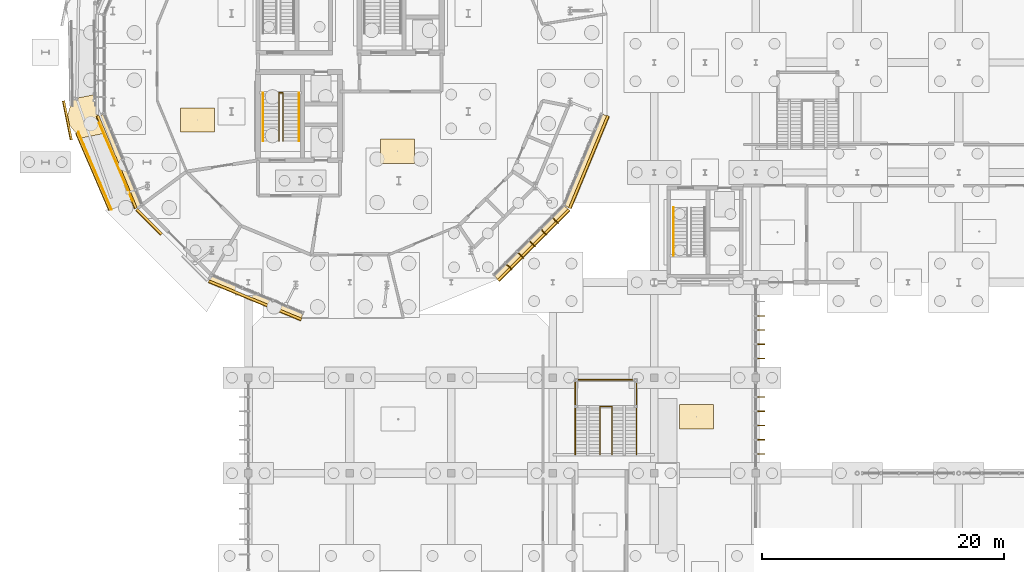
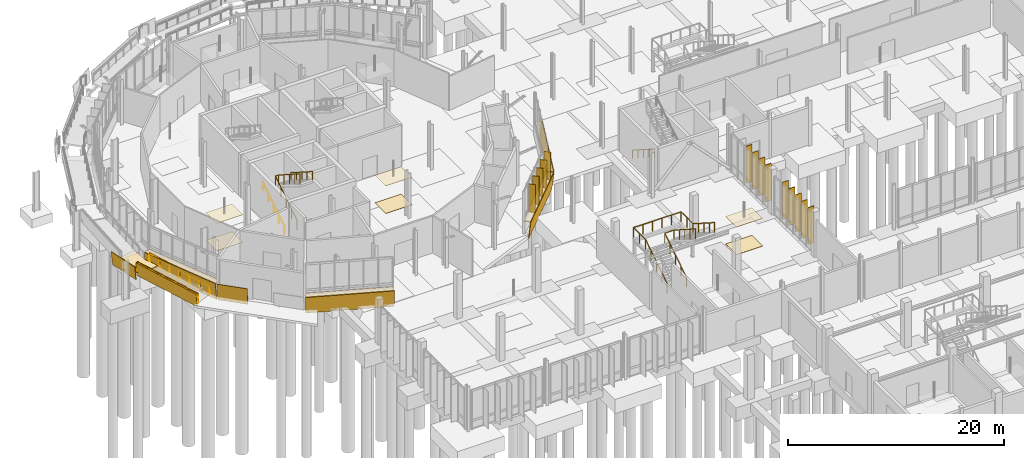
# One storey, part 109 of 119: 18 coverings, 14 shading devices, 10 railings.
"""IFC4 building model written with IfcOpenShell, lengths in metres."""

from ifc_helpers import new_model, si_unit, derived_unit, direction, frame, origin, origin_2d, place, context, subcontext, project, spatial, polyline, rectangle, circle, outline, extrude, material, layer, layer_set, type_object, element, save


model = new_model("IFC4")

# Units and contexts
model_context = context("Model", 3, precision=1e-05, world=origin(), true_north=direction((0.0, 1.0)))
body_context = subcontext(model_context, "Body", "Model", "MODEL_VIEW")
ifc_project = project(units=[si_unit("LENGTHUNIT", "METRE"), si_unit("AREAUNIT", "SQUARE_METRE"), si_unit("VOLUMEUNIT", "CUBIC_METRE"), si_unit("PLANEANGLEUNIT", "RADIAN"), si_unit("MASSUNIT", "GRAM", prefix="KILO"), derived_unit("THERMALTRANSMITTANCEUNIT", [(si_unit("MASSUNIT", "GRAM", prefix="KILO"), 1), (si_unit("TIMEUNIT", "SECOND"), -3), (si_unit("THERMODYNAMICTEMPERATUREUNIT", "KELVIN"), -1)])], contexts=[model_context])

# Site, building, storey
site_placement = place(None, origin())
site = spatial("IfcSite", under=ifc_project, at=site_placement, CompositionType="ELEMENT")
building_placement = place(site_placement, origin())
building = spatial("IfcBuilding", under=site, at=building_placement, Name="Makaiwela Harbour Ferry Terminal", CompositionType="ELEMENT")
storey_placement = place(building_placement, origin())
storey = spatial("IfcBuildingStorey", under=building, at=storey_placement, Name="L00", CompositionType="ELEMENT", Elevation=0.0)

# Coverings
ifc_material_1 = material(Name="White glazed marine ceramic rainscreen tile", Category="masonry")
ifc_layer_1 = layer(ifc_material_1, 0.054931640625)
ifc_layer_set_1 = layer_set([ifc_layer_1], Name="White glazed marine ceramic rainscreen tile")
covering_type_1 = type_object("IfcCoveringType", Name="ENV-CLD-CERAMIC", PredefinedType="CLADDING", material=ifc_layer_set_1)
covering_1_placement = place(storey_placement, frame((17.029296875, 63.22900390625, -0.3798828125), z_axis=(0.91838208959, 0.380398759585, 0.108954675097), x_axis=(0.382677004917, -0.923882194821, -6.10357e-07)))
element("IfcCovering", 1, at=covering_1_placement, inside=storey, type_object=covering_type_1, Name="Ceramic Spandrel Facet CLD-0015", PredefinedType="CLADDING", context=body_context, shape_type="SweptSolid", body=[
    extrude(outline(polyline([(0.0, 0.0), (8.289174563484776, -5.551115123125783e-17), (8.289310122087258, -1.91128582552714), (-8.999857398843922e-05, -1.9112756460815155), (0.0, 0.0)])), origin(), (0.0, 0.0, -1.0), 0.054931640625),
])
covering_2_placement = place(storey_placement, frame((0.0, 0.0, 1.47998046875)))
element("IfcCovering", 2, at=covering_2_placement, inside=storey, type_object=covering_type_1, Name="Ceramic Ring Sill Cap CLD-0016", PredefinedType="CLADDING", context=body_context, shape_type="SweptSolid", body=[
    extrude(outline(polyline([(16.8369140625, 63.1494140625), (20.009033203125, 55.490966796875), (20.57763671875, 55.810791015625), (17.465087890625, 63.325439453125), (16.8369140625, 63.1494140625)])), origin(), (0.0, 0.0, 1.0), 0.054931640625),
])
covering_3_placement = place(storey_placement, frame((20.251708984375, 55.4990234375, -0.3798828125), z_axis=(0.702899057834, 0.702899057834, 0.108930385987), x_axis=(0.707106781187, -0.707106781187, 0.0)))
element("IfcCovering", 3, at=covering_3_placement, inside=storey, type_object=covering_type_1, Name="Ceramic Spandrel Facet CLD-0017", PredefinedType="CLADDING", context=body_context, shape_type="SweptSolid", body=[
    extrude(outline(polyline([(0.0, 0.0), (2.8847056429753932, 0.0), (2.8847056429753932, -1.9112756175787453), (0.0, -1.9112756175787453), (0.0, 0.0)])), origin(), (0.0, 0.0, -1.0), 0.054931640625),
])
covering_4_placement = place(storey_placement, frame((26.170654296875, 49.6015625, -0.3798828125), z_axis=(0.380389704384, 0.918374866222, 0.109047136093), x_axis=(0.923884376918, -0.382671736724, 0.0)))
element("IfcCovering", 4, at=covering_4_placement, inside=storey, type_object=covering_type_1, Name="Ceramic Spandrel Facet CLD-0019", PredefinedType="CLADDING", context=body_context, shape_type="SweptSolid", body=[
    extrude(outline(polyline([(0.0, 0.0), (8.289400120797556, -5.551115123125783e-17), (8.289581198287785, -1.911300230025638), (0.00018107749022906738, -1.911300230025638), (0.0, 0.0)])), origin(), (0.0, 0.0, -1.0), 0.054931640625),
])
covering_5_placement = place(storey_placement, frame((0.0, 0.0, 1.47998046875)))
element("IfcCovering", 5, at=covering_5_placement, inside=storey, type_object=covering_type_1, Name="Ceramic Ring Sill Cap CLD-0020", PredefinedType="CLADDING", context=body_context, shape_type="SweptSolid", body=[
    extrude(outline(polyline([(26.091064453125, 49.408935546875), (33.74951171875, 46.23681640625), (33.92529296875, 46.864990234375), (26.41064453125, 49.9775390625), (26.091064453125, 49.408935546875)])), origin(), (0.0, 0.0, 1.0), 0.054931640625),
])
covering_6_placement = place(storey_placement, frame((49.993896484375, 49.644775390625, -0.3798828125), z_axis=(-0.702892139248, 0.702892139248, 0.109019636607), x_axis=(0.707106781187, 0.707106781187, 0.0)))
element("IfcCovering", 6, at=covering_6_placement, inside=storey, type_object=covering_type_1, Name="Ceramic Spandrel Facet CLD-0021", PredefinedType="CLADDING", context=body_context, shape_type="SweptSolid", body=[
    extrude(outline(polyline([(0.0, 0.0), (8.289169727893864, 0.0), (8.289342361385366, -1.9112944303154693), (-0.00017263349150062335, -1.9112944303154693), (0.0, 0.0)])), origin(), (0.0, 0.0, -1.0), 0.054931640625),
])
covering_7_placement = place(storey_placement, frame((0.0, 0.0, 1.47998046875)))
element("IfcCovering", 7, at=covering_7_placement, inside=storey, type_object=covering_type_1, Name="Ceramic Ring Sill Cap CLD-0022", PredefinedType="CLADDING", context=body_context, shape_type="SweptSolid", body=[
    extrude(outline(polyline([(50.14111328125, 49.497314453125), (56.002685546875, 55.35888671875), (55.48974609375, 55.76171875), (49.73828125, 50.01025390625), (50.14111328125, 49.497314453125)])), origin(), (0.0, 0.0, 1.0), 0.054931640625),
])
covering_8_placement = place(storey_placement, frame((55.8984375, 55.57080078125, -0.3798828125), z_axis=(-0.918370274741, 0.380393865811, 0.109071285525), x_axis=(0.382677005049, 0.923882194766, 6.11002e-07)))
element("IfcCovering", 8, at=covering_8_placement, inside=storey, type_object=covering_type_1, Name="Ceramic Spandrel Facet CLD-0023", PredefinedType="CLADDING", context=body_context, shape_type="SweptSolid", body=[
    extrude(outline(polyline([(0.0, 0.0), (8.289174563484778, 5.551115123125783e-17), (8.289357990317948, -1.911300229237552), (-4.213034328746761e-05, -1.911310419577886), (0.0, 0.0)])), origin(), (0.0, 0.0, -1.0), 0.054931640625),
])
covering_9_placement = place(storey_placement, frame((0.0, 0.0, 1.47998046875)))
element("IfcCovering", 9, at=covering_9_placement, inside=storey, type_object=covering_type_1, Name="Ceramic Ring Sill Cap CLD-0024", PredefinedType="CLADDING", context=body_context, shape_type="SweptSolid", body=[
    extrude(outline(polyline([(56.091064453125, 55.490966796875), (59.26318359375, 63.1494140625), (58.635009765625, 63.325439453125), (55.5224609375, 55.810791015625), (56.091064453125, 55.490966796875)])), origin(), (0.0, 0.0, 1.0), 0.054931640625),
])
covering_10_placement = place(storey_placement, frame((18.02587890625, 55.412353515625, -0.340087890625), z_axis=(0.917174678439, 0.3830255761, 0.109918229991), x_axis=(-0.393037393741, 0.914995057614, 0.091135348047)))
element("IfcCovering", 10, at=covering_10_placement, inside=storey, type_object=covering_type_1, Name="Coiled Ramp Ceramic Fascia CLD-R0009", PredefinedType="CLADDING", context=body_context, shape_type="SweptSolid", body=[
    extrude(outline(polyline([(0.0, 0.0), (6.997082305434818, 0.0), (7.1355665720757315, 1.5227711731157239), (0.13841056008679054, 1.5229967800991009), (0.0, 0.0)])), origin(), (0.0, 0.0, -1.0), 0.054931640625),
])
covering_11_placement = place(storey_placement, frame((14.203125, 64.442626953125, 0.297607421875), z_axis=(0.974845918111, 0.193902974623, 0.109895734106), x_axis=(0.195084663802, -0.980786405875, -7.8825e-07)))
element("IfcCovering", 11, at=covering_11_placement, inside=storey, type_object=covering_type_1, Name="Coiled Ramp Ceramic Fascia CLD-R0010", PredefinedType="CLADDING", context=body_context, shape_type="SweptSolid", body=[
    extrude(outline(polyline([(0.0, 0.0), (3.299981357697011, -1.3877787807814457e-17), (3.3001569216304634, -1.5290391975005857), (-6.388587266958059e-05, -1.5290339631888759), (0.0, 0.0)])), origin(), (0.0, 0.0, -1.0), 0.054931640625),
])

# Shading devices
ifc_material_2 = material(Name="Marine anodised aluminium 6063-T6", Category="aluminium")
ifc_layer_2 = layer(ifc_material_2, 0.054931640625)
ifc_layer_set_2 = layer_set([ifc_layer_2], Name="Marine anodised aluminium 6063-T6")
shading_device_type = type_object("IfcShadingDeviceType", Name="ENV-FIN-650", PredefinedType="USERDEFINED", material=ifc_layer_set_2)
for number, where, z_axis, x_axis, name in (
    (12, (51.006591796875, 50.6591796875, 1.626953125), (0.0, 0.0, 1.0), (0.707106781187, -0.707106781187, 0.0), "Vertical Solar Fin SFN-0016"),
    (13, (51.965087890625, 51.617919921875, 1.626953125), (0.0, 0.0, 1.0), (0.707106781187, -0.707106781187, 0.0), "Vertical Solar Fin SFN-0017"),
    (14, (52.923583984375, 52.576416015625, 1.626953125), (0.0, 0.0, 1.0), (0.707106781187, -0.707106781187, 0.0), "Vertical Solar Fin SFN-0018"),
    (15, (53.882080078125, 53.534912109375, 1.626953125), (0.0, 0.0, 1.0), (0.707106781187, -0.707106781187, 0.0), "Vertical Solar Fin SFN-0019"),
    (16, (54.8408203125, 54.493408203125, 1.626953125), (0.0, 0.0, 1.0), (0.707106781187, -0.707106781187, 0.0), "Vertical Solar Fin SFN-0020"),
):
    element("IfcShadingDevice", number, at=place(storey_placement, frame(where, z_axis=z_axis, x_axis=x_axis)), inside=storey, type_object=shading_device_type, Name=name, ObjectType="SOLAR FIN", PredefinedType="USERDEFINED", context=body_context, shape_type="SweptSolid", body=[
        extrude(rectangle(XDim=0.64990234375, YDim=0.054931640625, at=origin_2d()), origin(), (0.0, 0.0, 1.0), 3.179931640625),
    ])
for number, where, z_axis, x_axis, name in (
    (17, (71.837890625, 39.9033203125, 0.1669921875), (0.0, 0.0, 1.0), (1.0, 0.0, 0.0), "Vertical Solar Fin SFN-0378"),
    (18, (71.837890625, 38.726806640625, 0.1669921875), (0.0, 0.0, 1.0), (1.0, 0.0, 0.0), "Vertical Solar Fin SFN-0379"),
    (19, (71.837890625, 37.550048828125, 0.1669921875), (0.0, 0.0, 1.0), (1.0, 0.0, 0.0), "Vertical Solar Fin SFN-0380"),
    (20, (71.837890625, 36.373291015625, 0.1669921875), (0.0, 0.0, 1.0), (1.0, 0.0, 0.0), "Vertical Solar Fin SFN-0381"),
    (21, (71.837890625, 35.19677734375, 0.1669921875), (0.0, 0.0, 1.0), (1.0, 0.0, 0.0), "Vertical Solar Fin SFN-0382"),
    (22, (71.837890625, 46.626708984375, 0.1669921875), (0.0, 0.0, 1.0), (1.0, 0.0, 0.0), "Vertical Solar Fin SFN-0394"),
    (23, (71.837890625, 45.449951171875, 0.1669921875), (0.0, 0.0, 1.0), (1.0, 0.0, 0.0), "Vertical Solar Fin SFN-0395"),
    (24, (71.837890625, 44.273193359375, 0.1669921875), (0.0, 0.0, 1.0), (1.0, 0.0, 0.0), "Vertical Solar Fin SFN-0396"),
    (25, (71.837890625, 43.0966796875, 0.1669921875), (0.0, 0.0, 1.0), (1.0, 0.0, 0.0), "Vertical Solar Fin SFN-0397"),
):
    element("IfcShadingDevice", number, at=place(storey_placement, frame(where, z_axis=z_axis, x_axis=x_axis)), inside=storey, type_object=shading_device_type, Name=name, ObjectType="SOLAR FIN", PredefinedType="USERDEFINED", context=body_context, shape_type="SweptSolid", body=[
        extrude(rectangle(XDim=0.64990234375, YDim=0.054931640625, at=origin_2d()), origin(), (0.0, 0.0, 1.0), 4.18994140625),
    ])

# Coverings
ifc_material_3 = material(Name="Thermally modified Accoya timber acoustic slat ceiling", Category="wood")
ifc_layer_3 = layer(ifc_material_3, 0.0400390625)
ifc_layer_set_3 = layer_set([ifc_layer_3], Name="Thermally modified Accoya timber acoustic slat ceiling")
covering_type_2 = type_object("IfcCoveringType", Name="INT-COV-CEIL", PredefinedType="CEILING", material=ifc_layer_set_3)
covering_12_placement = place(storey_placement, frame((0.0, 0.0, 3.10009765625)))
element("IfcCovering", 26, at=covering_12_placement, inside=storey, type_object=covering_type_2, Name="Acoustic Timber Ceiling CLG-005", PredefinedType="CEILING", context=body_context, shape_type="SweptSolid", body=[
    extrude(outline(polyline([(23.789306640625, 61.83349609375), (26.58935546875, 61.83349609375), (26.58935546875, 63.83349609375), (23.789306640625, 63.83349609375), (23.789306640625, 61.83349609375)])), origin(), (0.0, 0.0, 1.0), 0.039794921875),
])
covering_13_placement = place(storey_placement, frame((0.0, 0.0, 3.10009765625)))
element("IfcCovering", 27, at=covering_13_placement, inside=storey, type_object=covering_type_2, Name="Acoustic Timber Ceiling CLG-006", PredefinedType="CEILING", context=body_context, shape_type="SweptSolid", body=[
    extrude(outline(polyline([(40.34521484375, 59.247314453125), (43.145263671875, 59.247314453125), (43.145263671875, 61.247314453125), (40.34521484375, 61.247314453125), (40.34521484375, 59.247314453125)])), origin(), (0.0, 0.0, 1.0), 0.039794921875),
])
covering_14_placement = place(storey_placement, frame((0.0, 0.0, 3.10009765625)))
element("IfcCovering", 28, at=covering_14_placement, inside=storey, type_object=covering_type_2, Name="Acoustic Timber Ceiling CLG-015", PredefinedType="CEILING", context=body_context, shape_type="SweptSolid", body=[
    extrude(outline(polyline([(65.10009765625, 37.27490234375), (67.89990234375, 37.27490234375), (67.89990234375, 39.27490234375), (65.10009765625, 39.27490234375), (65.10009765625, 37.27490234375)])), origin(), (0.0, 0.0, 1.0), 0.039794921875),
])
ifc_material_4 = material(Name="Honed coral-aggregate epoxy terrazzo flooring", Category="concrete")
ifc_layer_4 = layer(ifc_material_4, 0.02490234375)
ifc_layer_set_4 = layer_set([ifc_layer_4], Name="Honed coral-aggregate epoxy terrazzo flooring")
covering_type_3 = type_object("IfcCoveringType", Name="INT-COV-FLR", PredefinedType="FLOORING", material=ifc_layer_set_4)
covering_15_placement = place(storey_placement, frame((0.0, 0.0, 0.637451171875)))
element("IfcCovering", 29, at=covering_15_placement, inside=storey, type_object=covering_type_3, Name="Ramp Landing Terrazzo RMP-COIL-L00-L1", PredefinedType="FLOORING", context=body_context, shape_type="SweptSolid", body=[
    extrude(outline(polyline([(17.250732421875, 62.38232421875), (16.874267578125, 63.291015625), (16.874267578125, 63.291259765625), (16.8740234375, 63.29150390625), (16.8740234375, 63.291748046875), (16.8740234375, 63.2919921875), (16.8740234375, 64.275634765625), (16.740478515625, 64.947265625), (14.837890625, 64.56884765625), (14.306396484375, 62.78076171875), (15.481689453125, 61.332275390625), (17.38427734375, 61.710693359375), (17.250732421875, 62.38232421875)])), origin(), (0.0, 0.0, 1.0), 0.025146484375),
])
covering_16_placement = place(storey_placement, origin())
element("IfcCovering", 30, at=covering_16_placement, inside=storey, type_object=covering_type_3, Name="Terrazzo Flooring FLG-005", PredefinedType="FLOORING", context=body_context, shape_type="SweptSolid", body=[
    extrude(outline(polyline([(23.789306640625, 61.83349609375), (26.58935546875, 61.83349609375), (26.58935546875, 63.83349609375), (23.789306640625, 63.83349609375), (23.789306640625, 61.83349609375)])), origin(), (0.0, 0.0, 1.0), 0.02490234375),
])
covering_17_placement = place(storey_placement, origin())
element("IfcCovering", 31, at=covering_17_placement, inside=storey, type_object=covering_type_3, Name="Terrazzo Flooring FLG-006", PredefinedType="FLOORING", context=body_context, shape_type="SweptSolid", body=[
    extrude(outline(polyline([(40.34521484375, 59.247314453125), (43.145263671875, 59.247314453125), (43.145263671875, 61.247314453125), (40.34521484375, 61.247314453125), (40.34521484375, 59.247314453125)])), origin(), (0.0, 0.0, 1.0), 0.02490234375),
])
covering_18_placement = place(storey_placement, origin())
element("IfcCovering", 32, at=covering_18_placement, inside=storey, type_object=covering_type_3, Name="Terrazzo Flooring FLG-015", PredefinedType="FLOORING", context=body_context, shape_type="SweptSolid", body=[
    extrude(outline(polyline([(65.10009765625, 37.27490234375), (67.89990234375, 37.27490234375), (67.89990234375, 39.27490234375), (65.10009765625, 39.27490234375), (65.10009765625, 37.27490234375)])), origin(), (0.0, 0.0, 1.0), 0.02490234375),
])

# Railings
ifc_material_5 = material(Name="Marine grade 316L brushed stainless steel", Category="steel")
railing_type_1 = type_object("IfcRailingType", Name="INT-RL-GRD110", PredefinedType="GUARDRAIL", material=ifc_material_5)
railing_1_placement = place(storey_placement, frame((31.926025390625, 61.10009765625, 0.0)))
element("IfcRailing", 33, at=railing_1_placement, inside=storey, type_object=railing_type_1, Name="Stair well guardrail RL-0021", PredefinedType="GUARDRAIL", context=body_context, shape_type="SweptSolid", body=[
    extrude(circle(Radius=0.02392578125, at=origin_2d()), frame((0.0, 0.0, 1.09619140625), z_axis=(0.0, 0.842611129269, 0.538522501696), x_axis=(-1.0, 0.0, 0.0)), (0.0, 0.0, 1.0), 4.7353515625),
    extrude(circle(Radius=0.02392578125, at=origin_2d()), frame((0.0, 3.989990234375, 3.64599609375), z_axis=(1.0, 0.0, 0.0), x_axis=(0.0, 1.0, 0.0)), (0.0, 0.0, 1.0), 0.340087890625),
    extrude(circle(Radius=0.02392578125, at=origin_2d()), frame((0.340087890625, 3.989990234375, 3.64599609375), z_axis=(0.0, -0.842611129269, 0.538522501696), x_axis=(1.0, 0.0, 0.0)), (0.0, 0.0, 1.0), 4.7353515625),
    extrude(circle(Radius=0.02099609375, at=origin_2d()), origin(), (0.0, 0.0, 1.0), 1.072021484375),
    extrude(circle(Radius=0.02099609375, at=origin_2d()), frame((0.0, 0.99755859375, 0.637451171875)), (0.0, 0.0, 1.0), 1.072021484375),
    extrude(circle(Radius=0.02099609375, at=origin_2d()), frame((0.0, 1.9951171875, 1.27490234375)), (0.0, 0.0, 1.0), 1.072021484375),
    extrude(circle(Radius=0.02099609375, at=origin_2d()), frame((0.0, 2.992431640625, 1.91259765625)), (0.0, 0.0, 1.0), 1.072021484375),
    extrude(circle(Radius=0.02099609375, at=origin_2d()), frame((0.0, 3.989990234375, 2.550048828125)), (0.0, 0.0, 1.0), 1.072021484375),
    extrude(circle(Radius=0.02099609375, at=origin_2d()), frame((0.340087890625, 3.989990234375, 2.550048828125)), (0.0, 0.0, 1.0), 1.072021484375),
    extrude(circle(Radius=0.02099609375, at=origin_2d()), frame((0.340087890625, 2.992431640625, 3.1875)), (0.0, 0.0, 1.0), 1.072021484375),
    extrude(circle(Radius=0.02099609375, at=origin_2d()), frame((0.340087890625, 1.9951171875, 3.8251953125)), (0.0, 0.0, 1.0), 1.072021484375),
    extrude(circle(Radius=0.02099609375, at=origin_2d()), frame((0.340087890625, 0.99755859375, 4.462646484375)), (0.0, 0.0, 1.0), 1.072021484375),
    extrude(circle(Radius=0.02099609375, at=origin_2d()), frame((0.340087890625, 0.0, 5.10009765625)), (0.0, 0.0, 1.0), 1.072021484375),
])
railing_2_placement = place(storey_placement, frame((58.510009765625, 35.1298828125, 0.0)))
element("IfcRailing", 34, at=railing_2_placement, inside=storey, type_object=railing_type_1, Name="Stair well guardrail RL-0101", PredefinedType="GUARDRAIL", context=body_context, shape_type="SweptSolid", body=[
    extrude(circle(Radius=0.02392578125, at=origin_2d()), frame((0.0, 0.0, 1.09619140625), z_axis=(0.0, 0.842626080426, 0.538499107321), x_axis=(-1.0, 0.0, 0.0)), (0.0, 0.0, 1.0), 4.735595703125),
    extrude(circle(Radius=0.02392578125, at=origin_2d()), frame((0.0, 3.990234375, 3.64599609375), z_axis=(1.0, 0.0, 0.0), x_axis=(0.0, 1.0, 0.0)), (0.0, 0.0, 1.0), 0.97998046875),
    extrude(circle(Radius=0.02392578125, at=origin_2d()), frame((0.97998046875, 3.990234375, 3.64599609375), z_axis=(0.0, -0.842626080426, 0.538499107321), x_axis=(1.0, 0.0, 0.0)), (0.0, 0.0, 1.0), 4.735595703125),
    extrude(circle(Radius=0.02099609375, at=origin_2d()), origin(), (0.0, 0.0, 1.0), 1.072021484375),
    extrude(circle(Radius=0.02099609375, at=origin_2d()), frame((0.0, 0.99755859375, 0.637451171875)), (0.0, 0.0, 1.0), 1.072021484375),
    extrude(circle(Radius=0.02099609375, at=origin_2d()), frame((0.0, 1.9951171875, 1.27490234375)), (0.0, 0.0, 1.0), 1.072021484375),
    extrude(circle(Radius=0.02099609375, at=origin_2d()), frame((0.0, 2.99267578125, 1.91259765625)), (0.0, 0.0, 1.0), 1.072021484375),
    extrude(circle(Radius=0.02099609375, at=origin_2d()), frame((0.0, 3.990234375, 2.550048828125)), (0.0, 0.0, 1.0), 1.072021484375),
    extrude(circle(Radius=0.02099609375, at=origin_2d()), frame((0.97998046875, 3.990234375, 2.550048828125)), (0.0, 0.0, 1.0), 1.072021484375),
    extrude(circle(Radius=0.02099609375, at=origin_2d()), frame((0.97998046875, 2.99267578125, 3.1875)), (0.0, 0.0, 1.0), 1.072021484375),
    extrude(circle(Radius=0.02099609375, at=origin_2d()), frame((0.97998046875, 1.9951171875, 3.8251953125)), (0.0, 0.0, 1.0), 1.072021484375),
    extrude(circle(Radius=0.02099609375, at=origin_2d()), frame((0.97998046875, 0.99755859375, 4.462646484375)), (0.0, 0.0, 1.0), 1.072021484375),
    extrude(circle(Radius=0.02099609375, at=origin_2d()), frame((0.97998046875, 0.0, 5.10009765625)), (0.0, 0.0, 1.0), 1.072021484375),
])
railing_3_placement = place(storey_placement, frame((56.4599609375, 35.1298828125, 0.0)))
element("IfcRailing", 35, at=railing_3_placement, inside=storey, type_object=railing_type_1, Name="Freestanding stair outer guardrail RL-0103", PredefinedType="GUARDRAIL", context=body_context, shape_type="SweptSolid", body=[
    extrude(circle(Radius=0.02392578125, at=origin_2d()), frame((0.0, 0.0, 1.09619140625), z_axis=(0.0, 0.842626080426, 0.538499107321), x_axis=(-1.0, 0.0, 0.0)), (0.0, 0.0, 1.0), 4.735595703125),
    extrude(circle(Radius=0.02392578125, at=origin_2d()), frame((0.0, 3.990234375, 3.64599609375), z_axis=(0.0, 1.0, 0.0), x_axis=(-1.0, 0.0, 0.0)), (0.0, 0.0, 1.0), 2.219970703125),
    extrude(circle(Radius=0.02392578125, at=origin_2d()), frame((0.0, 6.210205078125, 3.64599609375), z_axis=(1.0, 0.0, 0.0), x_axis=(0.0, 1.0, 0.0)), (0.0, 0.0, 1.0), 5.080078125),
    extrude(circle(Radius=0.02392578125, at=origin_2d()), frame((5.080078125, 6.210205078125, 3.64599609375), z_axis=(0.0, -1.0, 0.0), x_axis=(1.0, 0.0, 0.0)), (0.0, 0.0, 1.0), 2.219970703125),
    extrude(circle(Radius=0.02392578125, at=origin_2d()), frame((5.080078125, 3.990234375, 3.64599609375), z_axis=(0.0, -0.842626080426, 0.538499107321), x_axis=(1.0, 0.0, 0.0)), (0.0, 0.0, 1.0), 4.735595703125),
    extrude(circle(Radius=0.02099609375, at=origin_2d()), origin(), (0.0, 0.0, 1.0), 1.072021484375),
    extrude(circle(Radius=0.02099609375, at=origin_2d()), frame((0.0, 0.99755859375, 0.637451171875)), (0.0, 0.0, 1.0), 1.072021484375),
    extrude(circle(Radius=0.02099609375, at=origin_2d()), frame((0.0, 1.9951171875, 1.27490234375)), (0.0, 0.0, 1.0), 1.072021484375),
    extrude(circle(Radius=0.02099609375, at=origin_2d()), frame((0.0, 2.99267578125, 1.91259765625)), (0.0, 0.0, 1.0), 1.072021484375),
    extrude(circle(Radius=0.02099609375, at=origin_2d()), frame((0.0, 3.990234375, 2.550048828125)), (0.0, 0.0, 1.0), 1.072021484375),
    extrude(circle(Radius=0.02099609375, at=origin_2d()), frame((0.0, 5.10009765625, 2.550048828125)), (0.0, 0.0, 1.0), 1.072021484375),
    extrude(circle(Radius=0.02099609375, at=origin_2d()), frame((0.0, 6.210205078125, 2.550048828125)), (0.0, 0.0, 1.0), 1.072021484375),
    extrude(circle(Radius=0.02099609375, at=origin_2d()), frame((1.01611328125, 6.210205078125, 2.550048828125)), (0.0, 0.0, 1.0), 1.072021484375),
    extrude(circle(Radius=0.02099609375, at=origin_2d()), frame((2.031982421875, 6.210205078125, 2.550048828125)), (0.0, 0.0, 1.0), 1.072021484375),
    extrude(circle(Radius=0.02099609375, at=origin_2d()), frame((3.048095703125, 6.210205078125, 2.550048828125)), (0.0, 0.0, 1.0), 1.072021484375),
    extrude(circle(Radius=0.02099609375, at=origin_2d()), frame((4.06396484375, 6.210205078125, 2.550048828125)), (0.0, 0.0, 1.0), 1.072021484375),
    extrude(circle(Radius=0.02099609375, at=origin_2d()), frame((5.080078125, 6.210205078125, 2.550048828125)), (0.0, 0.0, 1.0), 1.072021484375),
    extrude(circle(Radius=0.02099609375, at=origin_2d()), frame((5.080078125, 5.10009765625, 2.550048828125)), (0.0, 0.0, 1.0), 1.072021484375),
    extrude(circle(Radius=0.02099609375, at=origin_2d()), frame((5.080078125, 3.990234375, 2.550048828125)), (0.0, 0.0, 1.0), 1.072021484375),
    extrude(circle(Radius=0.02099609375, at=origin_2d()), frame((5.080078125, 2.99267578125, 3.1875)), (0.0, 0.0, 1.0), 1.072021484375),
    extrude(circle(Radius=0.02099609375, at=origin_2d()), frame((5.080078125, 1.9951171875, 3.8251953125)), (0.0, 0.0, 1.0), 1.072021484375),
    extrude(circle(Radius=0.02099609375, at=origin_2d()), frame((5.080078125, 0.99755859375, 4.462646484375)), (0.0, 0.0, 1.0), 1.072021484375),
    extrude(circle(Radius=0.02099609375, at=origin_2d()), frame((5.080078125, 0.0, 5.10009765625)), (0.0, 0.0, 1.0), 1.072021484375),
])
railing_4_placement = place(storey_placement, frame((19.8056640625, 56.177001953125, 0.0)))
element("IfcRailing", 36, at=railing_4_placement, inside=storey, type_object=railing_type_1, Name="Ramp guardrail RL-0105", PredefinedType="GUARDRAIL", context=body_context, shape_type="SweptSolid", body=[
    extrude(circle(Radius=0.02392578125, at=origin_2d()), frame((0.0, 0.0, 1.09619140625), z_axis=(-0.393051710444, 0.914992281818, 0.091101466131), x_axis=(-0.91881305994, -0.394692995738, 0.0)), (0.0, 0.0, 1.0), 6.9970703125),
    extrude(circle(Radius=0.02099609375, at=origin_2d()), origin(), (0.0, 0.0, 1.0), 1.072021484375),
    extrude(circle(Radius=0.02099609375, at=origin_2d()), frame((-0.45849609375, 1.067138671875, 0.106201171875)), (0.0, 0.0, 1.0), 1.072021484375),
    extrude(circle(Radius=0.02099609375, at=origin_2d()), frame((-0.916748046875, 2.134033203125, 0.21240234375)), (0.0, 0.0, 1.0), 1.072021484375),
    extrude(circle(Radius=0.02099609375, at=origin_2d()), frame((-1.375, 3.201171875, 0.31884765625)), (0.0, 0.0, 1.0), 1.072021484375),
    extrude(circle(Radius=0.02099609375, at=origin_2d()), frame((-1.83349609375, 4.268310546875, 0.425048828125)), (0.0, 0.0, 1.0), 1.072021484375),
    extrude(circle(Radius=0.02099609375, at=origin_2d()), frame((-2.2919921875, 5.335205078125, 0.53125)), (0.0, 0.0, 1.0), 1.072021484375),
    extrude(circle(Radius=0.02099609375, at=origin_2d()), frame((-2.750244140625, 6.40234375, 0.637451171875)), (0.0, 0.0, 1.0), 1.072021484375),
])
railing_5_placement = place(storey_placement, frame((18.078369140625, 55.434814453125, 0.0)))
element("IfcRailing", 37, at=railing_5_placement, inside=storey, type_object=railing_type_1, Name="Ramp guardrail RL-0107", PredefinedType="GUARDRAIL", context=body_context, shape_type="SweptSolid", body=[
    extrude(circle(Radius=0.02392578125, at=origin_2d()), frame((0.0, 0.0, 1.09619140625), z_axis=(-0.393039162485, 0.914997961487, 0.091098557767), x_axis=(-0.918818517846, -0.394680289935, 0.0)), (0.0, 0.0, 1.0), 6.997314453125),
    extrude(circle(Radius=0.02099609375, at=origin_2d()), origin(), (0.0, 0.0, 1.0), 1.072021484375),
    extrude(circle(Radius=0.02099609375, at=origin_2d()), frame((-0.45849609375, 1.067138671875, 0.106201171875)), (0.0, 0.0, 1.0), 1.072021484375),
    extrude(circle(Radius=0.02099609375, at=origin_2d()), frame((-0.916748046875, 2.13427734375, 0.21240234375)), (0.0, 0.0, 1.0), 1.072021484375),
    extrude(circle(Radius=0.02099609375, at=origin_2d()), frame((-1.375, 3.201171875, 0.31884765625)), (0.0, 0.0, 1.0), 1.072021484375),
    extrude(circle(Radius=0.02099609375, at=origin_2d()), frame((-1.83349609375, 4.268310546875, 0.425048828125)), (0.0, 0.0, 1.0), 1.072021484375),
    extrude(circle(Radius=0.02099609375, at=origin_2d()), frame((-2.2919921875, 5.33544921875, 0.53125)), (0.0, 0.0, 1.0), 1.072021484375),
    extrude(circle(Radius=0.02099609375, at=origin_2d()), frame((-2.750244140625, 6.402587890625, 0.637451171875)), (0.0, 0.0, 1.0), 1.072021484375),
])
railing_type_2 = type_object("IfcRailingType", Name="INT-RL-HND090", PredefinedType="HANDRAIL", material=ifc_material_5)
railing_6_placement = place(storey_placement, frame((30.60009765625, 61.10009765625, 0.0)))
element("IfcRailing", 38, at=railing_6_placement, inside=storey, type_object=railing_type_2, Name="Stair wall handrail RL-0023", PredefinedType="HANDRAIL", context=body_context, shape_type="SweptSolid", body=[
    extrude(circle(Radius=0.02392578125, at=origin_2d()), frame((0.0, 0.0, 0.89111328125), z_axis=(0.0, 0.842611129269, 0.538522501696), x_axis=(-1.0, 0.0, 0.0)), (0.0, 0.0, 1.0), 4.7353515625),
    extrude(circle(Radius=0.02099609375, at=origin_2d()), origin(), (0.0, 0.0, 1.0), 0.866943359375),
    extrude(circle(Radius=0.02099609375, at=origin_2d()), frame((0.0, 0.99755859375, 0.637451171875)), (0.0, 0.0, 1.0), 0.866943359375),
    extrude(circle(Radius=0.02099609375, at=origin_2d()), frame((0.0, 1.9951171875, 1.27490234375)), (0.0, 0.0, 1.0), 0.866943359375),
    extrude(circle(Radius=0.02099609375, at=origin_2d()), frame((0.0, 2.992431640625, 1.91259765625)), (0.0, 0.0, 1.0), 0.866943359375),
    extrude(circle(Radius=0.02099609375, at=origin_2d()), frame((0.0, 3.989990234375, 2.550048828125)), (0.0, 0.0, 1.0), 0.866943359375),
])
for number, where, name in (
    (39, (33.592041015625, 65.090087890625, 2.550048828125), "Stair upper handrail RL-0024"),
    (40, (64.60009765625, 55.60009765625, 0.0), "Stair wall handrail RL-0063"),
):
    element("IfcRailing", number, at=place(storey_placement, frame(where)), inside=storey, type_object=railing_type_2, Name=name, PredefinedType="HANDRAIL", context=body_context, shape_type="SweptSolid", body=[
        extrude(circle(Radius=0.02392578125, at=origin_2d()), frame((0.0, 0.0, 0.89111328125), z_axis=(0.0, -0.842611129269, 0.538522501696), x_axis=(1.0, 0.0, 0.0)), (0.0, 0.0, 1.0), 4.7353515625),
        extrude(circle(Radius=0.02099609375, at=origin_2d()), origin(), (0.0, 0.0, 1.0), 0.866943359375),
        extrude(circle(Radius=0.02099609375, at=origin_2d()), frame((0.0, -0.99755859375, 0.637451171875)), (0.0, 0.0, 1.0), 0.866943359375),
        extrude(circle(Radius=0.02099609375, at=origin_2d()), frame((0.0, -1.9951171875, 1.27490234375)), (0.0, 0.0, 1.0), 0.866943359375),
        extrude(circle(Radius=0.02099609375, at=origin_2d()), frame((0.0, -2.992431640625, 1.91259765625)), (0.0, 0.0, 1.0), 0.866943359375),
        extrude(circle(Radius=0.02099609375, at=origin_2d()), frame((0.0, -3.989990234375, 2.550048828125)), (0.0, 0.0, 1.0), 0.866943359375),
    ])
railing_7_placement = place(storey_placement, frame((19.8056640625, 56.177001953125, 0.0)))
element("IfcRailing", 41, at=railing_7_placement, inside=storey, type_object=railing_type_2, Name="Ramp handrail RL-0106", PredefinedType="HANDRAIL", context=body_context, shape_type="SweptSolid", body=[
    extrude(circle(Radius=0.02392578125, at=origin_2d()), frame((0.0, 0.0, 0.89111328125), z_axis=(-0.393051710444, 0.914992281818, 0.091101466131), x_axis=(-0.91881305994, -0.394692995738, 0.0)), (0.0, 0.0, 1.0), 6.9970703125),
    extrude(circle(Radius=0.02099609375, at=origin_2d()), origin(), (0.0, 0.0, 1.0), 0.866943359375),
    extrude(circle(Radius=0.02099609375, at=origin_2d()), frame((-0.45849609375, 1.067138671875, 0.106201171875)), (0.0, 0.0, 1.0), 0.866943359375),
    extrude(circle(Radius=0.02099609375, at=origin_2d()), frame((-0.916748046875, 2.134033203125, 0.21240234375)), (0.0, 0.0, 1.0), 0.866943359375),
    extrude(circle(Radius=0.02099609375, at=origin_2d()), frame((-1.375, 3.201171875, 0.31884765625)), (0.0, 0.0, 1.0), 0.866943359375),
    extrude(circle(Radius=0.02099609375, at=origin_2d()), frame((-1.83349609375, 4.268310546875, 0.425048828125)), (0.0, 0.0, 1.0), 0.866943359375),
    extrude(circle(Radius=0.02099609375, at=origin_2d()), frame((-2.2919921875, 5.335205078125, 0.53125)), (0.0, 0.0, 1.0), 0.866943359375),
    extrude(circle(Radius=0.02099609375, at=origin_2d()), frame((-2.750244140625, 6.40234375, 0.637451171875)), (0.0, 0.0, 1.0), 0.866943359375),
])
railing_8_placement = place(storey_placement, frame((18.078369140625, 55.434814453125, 0.0)))
element("IfcRailing", 42, at=railing_8_placement, inside=storey, type_object=railing_type_2, Name="Ramp handrail RL-0108", PredefinedType="HANDRAIL", context=body_context, shape_type="SweptSolid", body=[
    extrude(circle(Radius=0.02392578125, at=origin_2d()), frame((0.0, 0.0, 0.89111328125), z_axis=(-0.393039162485, 0.914997961487, 0.091098557767), x_axis=(-0.918818517846, -0.394680289935, 0.0)), (0.0, 0.0, 1.0), 6.997314453125),
    extrude(circle(Radius=0.02099609375, at=origin_2d()), origin(), (0.0, 0.0, 1.0), 0.866943359375),
    extrude(circle(Radius=0.02099609375, at=origin_2d()), frame((-0.45849609375, 1.067138671875, 0.106201171875)), (0.0, 0.0, 1.0), 0.866943359375),
    extrude(circle(Radius=0.02099609375, at=origin_2d()), frame((-0.916748046875, 2.13427734375, 0.21240234375)), (0.0, 0.0, 1.0), 0.866943359375),
    extrude(circle(Radius=0.02099609375, at=origin_2d()), frame((-1.375, 3.201171875, 0.31884765625)), (0.0, 0.0, 1.0), 0.866943359375),
    extrude(circle(Radius=0.02099609375, at=origin_2d()), frame((-1.83349609375, 4.268310546875, 0.425048828125)), (0.0, 0.0, 1.0), 0.866943359375),
    extrude(circle(Radius=0.02099609375, at=origin_2d()), frame((-2.2919921875, 5.33544921875, 0.53125)), (0.0, 0.0, 1.0), 0.866943359375),
    extrude(circle(Radius=0.02099609375, at=origin_2d()), frame((-2.750244140625, 6.402587890625, 0.637451171875)), (0.0, 0.0, 1.0), 0.866943359375),
])

save(model, "model.ifc")
